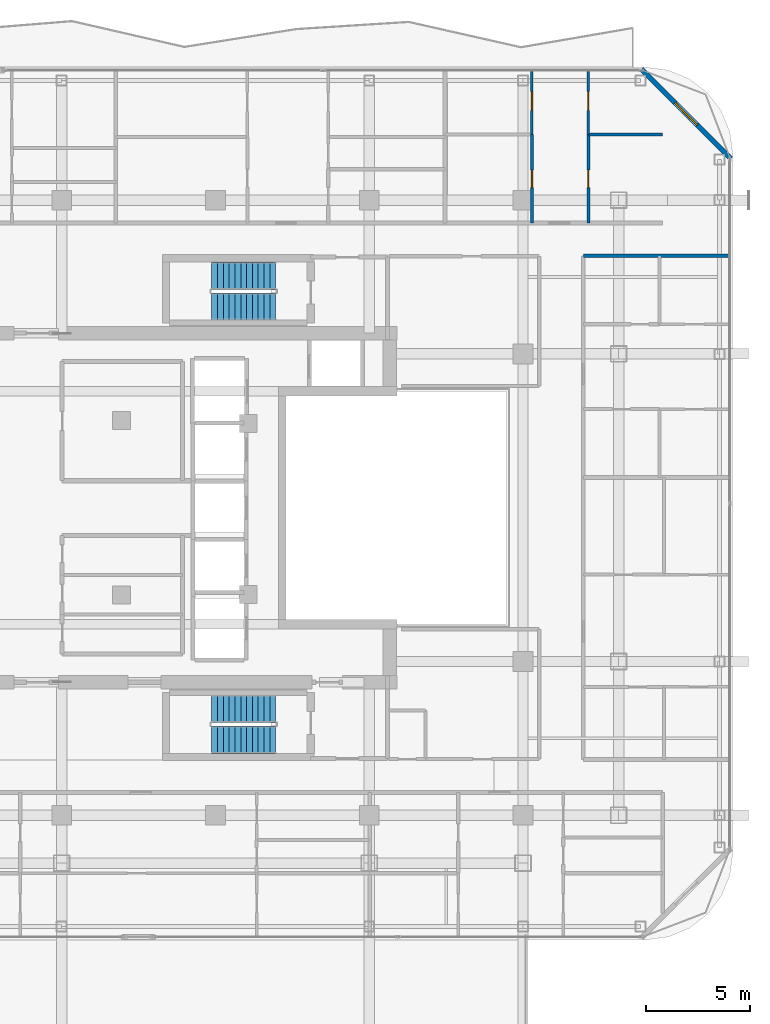
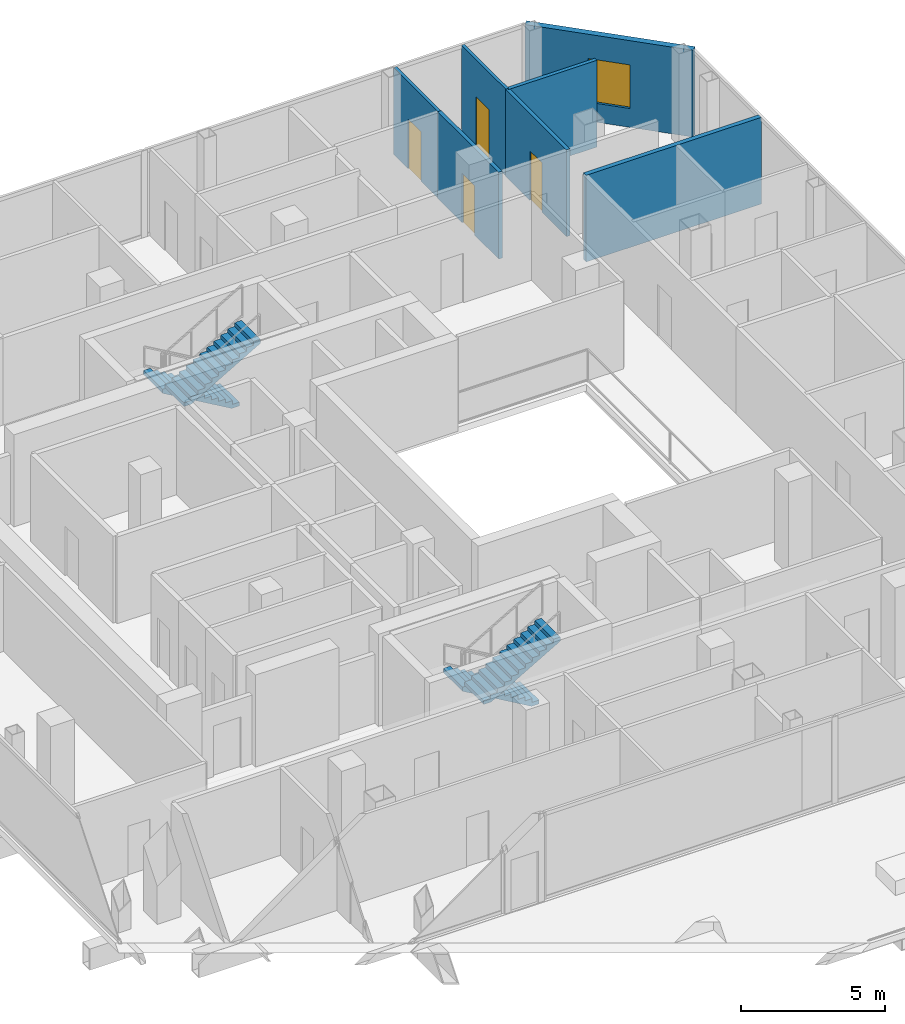
# One storey, part 22 of 25: 7 walls, 4 doors, 4 stair flights, 1 window, 5 openings, 2 elements without a shape of their own.
"""IFC4 building model written with IfcOpenShell, lengths in metres."""

from ifc_helpers import new_model, si_unit, direction, frame, frame_2d, origin, place, context, subcontext, project, spatial, polyline, rectangle, outline, extrude, material, layer, layer_set, type_object, element, fill, aggregate, save


model = new_model("IFC4")

# Units and contexts
model_context = context("Model", 3, precision=1e-05, world=origin(), true_north=direction((0.0, 1.0)))
body_context = subcontext(model_context, "Body", "Model", "MODEL_VIEW")
ifc_project = project(units=[si_unit("LENGTHUNIT", "METRE"), si_unit("AREAUNIT", "SQUARE_METRE"), si_unit("VOLUMEUNIT", "CUBIC_METRE"), si_unit("PLANEANGLEUNIT", "RADIAN"), si_unit("MASSUNIT", "GRAM", prefix="KILO")], contexts=[model_context])

# Site, building, storey
site_placement = place(None, origin())
site = spatial("IfcSite", under=ifc_project, at=site_placement, CompositionType="ELEMENT")
building_placement = place(site_placement, origin())
building = spatial("IfcBuilding", under=site, at=building_placement, Name="Khorvyn Point Tower", CompositionType="ELEMENT")
storey_placement = place(building_placement, frame((0.0, 0.0, 254.699951171875)))
storey = spatial("IfcBuildingStorey", under=building, at=storey_placement, Name="L62", CompositionType="ELEMENT", Elevation=254.699951171875)

# Wall
ifc_material_1 = material(Name="Double acoustic gypsum on twin steel stud", Category="steel")
ifc_layer_1 = layer(ifc_material_1, 0.179931640625)
ifc_layer_set_1 = layer_set([ifc_layer_1], Name="Acoustic Double-Stud Apartment Demising Wall 180")
wall_type_1 = type_object("IfcWallType", Name="Acoustic Double-Stud Apartment Demising Wall 180", PredefinedType="PARTITIONING", material=ifc_layer_set_1)
wall_1_placement = place(storey_placement, frame((17.699951171875, 12.1201171875, 0.0), z_axis=(0.0, 0.0, 1.0), x_axis=(1.0, 0.0, 0.0)))
element("IfcWall", 1, at=wall_1_placement, inside=storey, type_object=wall_type_1, Name="Wall", PredefinedType="PARTITIONING", context=body_context, shape_type="SweptSolid", body=[
    extrude(rectangle(XDim=7.030029296875, YDim=0.179931640625, at=frame_2d((3.51513671875, 0.0))), origin(), (0.0, 0.0, 1.0), 3.679931640625),
])

# Wall, opening, window
ifc_material_2 = material(Name="Pale anodised aluminium rainscreen on steel stud", Category="steel")
ifc_layer_2 = layer(ifc_material_2, 0.239990234375)
ifc_layer_set_2 = layer_set([ifc_layer_2], Name="Anodised Aluminium Insulated Corner Spandrel Wall 240")
wall_type_2 = type_object("IfcWallType", Name="Anodised Aluminium Insulated Corner Spandrel Wall 240", PredefinedType="SOLIDWALL", material=ifc_layer_set_2)
wall_2_placement = place(storey_placement, frame((20.507568359375, 21.09228515625, 0.0), z_axis=(0.0, 0.0, 1.0), x_axis=(0.707126925818, -0.707086635981, 0.0)))
wall_2 = element("IfcWall", 2, at=wall_2_placement, inside=storey, type_object=wall_type_2, Name="L62 Rounded Corner Wall NE", PredefinedType="SOLIDWALL", context=body_context, shape_type="SweptSolid", body=[
    extrude(rectangle(XDim=6.0595703125, YDim=0.239990234375, at=frame_2d((3.02978515625, 0.0))), origin(), (0.0, 0.0, 1.0), 3.679931640625),
])
opening_1_placement = place(wall_2_placement, frame((2.27978515625, 0.0, 0.800048828125)))
opening_1 = element("IfcOpeningElement", 3, at=opening_1_placement, cuts=wall_2, Name="Opening WN-1518", PredefinedType="OPENING", context=body_context, shape_type="SweptSolid", body=[
    extrude(rectangle(XDim=1.5, YDim=1.85009765625, at=frame_2d((0.75, 0.925048828125))), frame((0.0, 0.1298828125, 0.0), z_axis=(0.0, -1.0, 0.0), x_axis=(1.0, 0.0, 0.0)), (0.0, 0.0, 1.0), 0.260009765625),
])
ifc_material_3 = material(Name="Anodised aluminium 6063-T6 and laminated Low-E glass", Category="aluminium")
window_type = type_object("IfcWindowType", Name="Anodised Aluminium Rounded-Corner Panoramic Window 1500x1850", PartitioningType="SINGLE_PANEL", PredefinedType="WINDOW", material=ifc_material_3)
window_placement = place(opening_1_placement, origin())
window = element("IfcWindow", 4, at=window_placement, inside=storey, type_object=window_type, Name="L62 Corner Panoramic Window NE", OverallHeight=1.85009765625, OverallWidth=1.5, PartitioningType="SINGLE_PANEL", PredefinedType="WINDOW", context=body_context, shape_type="SweptSolid", body=[
    extrude(rectangle(XDim=1.5, YDim=1.85009765625, at=frame_2d((0.75, 0.925048828125))), frame((0.0, 0.030029296875, 0.0), z_axis=(0.0, -1.0, 0.0), x_axis=(1.0, 0.0, 0.0)), (0.0, 0.0, 1.0), 0.06005859375),
])
fill(opening_1, window)

# Wall, opening, door
ifc_material_4 = material(Name="Gypsum plasterboard on steel stud", Category="steel")
ifc_layer_3 = layer(ifc_material_4, 0.1201171875)
ifc_layer_set_3 = layer_set([ifc_layer_3], Name="Gypsum Acoustic Stud Room Partition Wall 120")
wall_type_3 = type_object("IfcWallType", Name="Gypsum Acoustic Stud Room Partition Wall 120", PredefinedType="PARTITIONING", material=ifc_layer_set_3)
wall_3_placement = place(storey_placement, frame((15.23291015625, 17.949951171875, 0.0), z_axis=(0.0, 0.0, 1.0), x_axis=(0.0, 1.0, 0.0)))
wall_3 = element("IfcWall", 5, at=wall_3_placement, inside=storey, type_object=wall_type_3, Name="Wall", PredefinedType="PARTITIONING", context=body_context, shape_type="SweptSolid", body=[
    extrude(rectangle(XDim=3.080078125, YDim=0.1201171875, at=frame_2d((1.5400390625, 0.0))), origin(), (0.0, 0.0, 1.0), 3.679931640625),
])
opening_2_placement = place(wall_3_placement, frame((1.174560546875, 0.0, 0.0)))
opening_2 = element("IfcOpeningElement", 6, at=opening_2_placement, cuts=wall_3, Name="Opening ID-RM90", PredefinedType="OPENING", context=body_context, shape_type="SweptSolid", body=[
    extrude(rectangle(XDim=0.89990234375, YDim=2.10009765625, at=frame_2d((0.449951171875, 1.050048828125))), frame((0.0, 0.070068359375, 0.0), z_axis=(0.0, -1.0, 0.0), x_axis=(1.0, 0.0, 0.0)), (0.0, 0.0, 1.0), 0.14013671875),
])
ifc_material_5 = material(Name="Engineered oak veneer timber", Category="wood")
door_type_1 = type_object("IfcDoorType", Name="Flush Engineered Timber Room Door 900x2100", OperationType="NOTDEFINED", PredefinedType="DOOR", material=ifc_material_5)
door_1_placement = place(opening_2_placement, origin())
door_1 = element("IfcDoor", 7, at=door_1_placement, inside=storey, type_object=door_type_1, Name="Door", OperationType="SINGLE_SWING_LEFT", OverallHeight=2.10009765625, OverallWidth=0.89990234375, PredefinedType="DOOR", context=body_context, shape_type="SweptSolid", body=[
    extrude(rectangle(XDim=0.89990234375, YDim=2.10009765625, at=frame_2d((0.449951171875, 1.050048828125))), frame((0.0, 0.02490234375, 0.0), z_axis=(0.0, -1.0, 0.0), x_axis=(1.0, 0.0, 0.0)), (0.0, 0.0, 1.0), 0.050048828125),
])
fill(opening_2, door_1)

wall_4_placement = place(storey_placement, frame((17.949951171875, 17.949951171875, 0.0), z_axis=(0.0, 0.0, 1.0), x_axis=(0.0, 1.0, 0.0)))
wall_4 = element("IfcWall", 8, at=wall_4_placement, inside=storey, type_object=wall_type_3, Name="Wall", PredefinedType="PARTITIONING", context=body_context, shape_type="SweptSolid", body=[
    extrude(rectangle(XDim=3.080078125, YDim=0.1201171875, at=frame_2d((1.5400390625, 0.0))), origin(), (0.0, 0.0, 1.0), 3.679931640625),
])
opening_3_placement = place(wall_4_placement, frame((1.174560546875, 0.0, 0.0)))
opening_3 = element("IfcOpeningElement", 9, at=opening_3_placement, cuts=wall_4, Name="Opening ID-RM90", PredefinedType="OPENING", context=body_context, shape_type="SweptSolid", body=[
    extrude(rectangle(XDim=0.89990234375, YDim=2.10009765625, at=frame_2d((0.449951171875, 1.050048828125))), frame((0.0, 0.070068359375, 0.0), z_axis=(0.0, -1.0, 0.0), x_axis=(1.0, 0.0, 0.0)), (0.0, 0.0, 1.0), 0.14013671875),
])
door_2_placement = place(opening_3_placement, origin())
door_2 = element("IfcDoor", 10, at=door_2_placement, inside=storey, type_object=door_type_1, Name="Door", OperationType="SINGLE_SWING_LEFT", OverallHeight=2.10009765625, OverallWidth=0.89990234375, PredefinedType="DOOR", context=body_context, shape_type="SweptSolid", body=[
    extrude(rectangle(XDim=0.89990234375, YDim=2.10009765625, at=frame_2d((0.449951171875, 1.050048828125))), frame((0.0, 0.02490234375, 0.0), z_axis=(0.0, -1.0, 0.0), x_axis=(1.0, 0.0, 0.0)), (0.0, 0.0, 1.0), 0.050048828125),
])
fill(opening_3, door_2)

ifc_material_6 = material(Name="Moisture-resistant gypsum and cement board", Category="gypsum")
ifc_layer_4 = layer(ifc_material_6, 0.14990234375)
ifc_layer_set_4 = layer_set([ifc_layer_4], Name="Moisture-Resistant Wet-Room Partition Wall 150")
wall_type_4 = type_object("IfcWallType", Name="Moisture-Resistant Wet-Room Partition Wall 150", PredefinedType="PARTITIONING", material=ifc_layer_set_4)
wall_5_placement = place(storey_placement, frame((15.23291015625, 13.699951171875, 0.0), z_axis=(0.0, 0.0, 1.0), x_axis=(0.0, 1.0, 0.0)))
wall_5 = element("IfcWall", 11, at=wall_5_placement, inside=storey, type_object=wall_type_4, Name="Wall", PredefinedType="PARTITIONING", context=body_context, shape_type="SweptSolid", body=[
    extrude(rectangle(XDim=4.25, YDim=0.14990234375, at=frame_2d((2.125, 0.0))), origin(), (0.0, 0.0, 1.0), 3.679931640625),
])
opening_4_placement = place(wall_5_placement, frame((1.699951171875, 0.0, 0.0)))
opening_4 = element("IfcOpeningElement", 12, at=opening_4_placement, cuts=wall_5, Name="Opening ID-WC85", PredefinedType="OPENING", context=body_context, shape_type="SweptSolid", body=[
    extrude(rectangle(XDim=0.85009765625, YDim=2.10009765625, at=frame_2d((0.425048828125, 1.050048828125))), frame((0.0, 0.0849609375, 0.0), z_axis=(0.0, -1.0, 0.0), x_axis=(1.0, 0.0, 0.0)), (0.0, 0.0, 1.0), 0.169921875),
])
ifc_material_7 = material(Name="High-pressure laminate on moisture-resistant core", Category="wood")
door_type_2 = type_object("IfcDoorType", Name="Moisture-Resistant Accessible Washroom Door 850x2100", OperationType="NOTDEFINED", PredefinedType="DOOR", material=ifc_material_7)
door_3_placement = place(opening_4_placement, origin())
door_3 = element("IfcDoor", 13, at=door_3_placement, inside=storey, type_object=door_type_2, Name="Door", OperationType="SINGLE_SWING_RIGHT", OverallHeight=2.10009765625, OverallWidth=0.85009765625, PredefinedType="DOOR", context=body_context, shape_type="SweptSolid", body=[
    extrude(rectangle(XDim=0.85009765625, YDim=2.10009765625, at=frame_2d((0.425048828125, 1.050048828125))), frame((0.0, 0.02490234375, 0.0), z_axis=(0.0, -1.0, 0.0), x_axis=(1.0, 0.0, 0.0)), (0.0, 0.0, 1.0), 0.050048828125),
])
fill(opening_4, door_3)

wall_6_placement = place(storey_placement, frame((17.949951171875, 13.699951171875, 0.0), z_axis=(0.0, 0.0, 1.0), x_axis=(0.0, 1.0, 0.0)))
wall_6 = element("IfcWall", 14, at=wall_6_placement, inside=storey, type_object=wall_type_4, Name="Wall", PredefinedType="PARTITIONING", context=body_context, shape_type="SweptSolid", body=[
    extrude(rectangle(XDim=4.25, YDim=0.14990234375, at=frame_2d((2.125, 0.0))), origin(), (0.0, 0.0, 1.0), 3.679931640625),
])
opening_5_placement = place(wall_6_placement, frame((1.699951171875, 0.0, 0.0)))
opening_5 = element("IfcOpeningElement", 15, at=opening_5_placement, cuts=wall_6, Name="Opening ID-WC85", PredefinedType="OPENING", context=body_context, shape_type="SweptSolid", body=[
    extrude(rectangle(XDim=0.85009765625, YDim=2.10009765625, at=frame_2d((0.425048828125, 1.050048828125))), frame((0.0, 0.0849609375, 0.0), z_axis=(0.0, -1.0, 0.0), x_axis=(1.0, 0.0, 0.0)), (0.0, 0.0, 1.0), 0.169921875),
])
door_4_placement = place(opening_5_placement, origin())
door_4 = element("IfcDoor", 16, at=door_4_placement, inside=storey, type_object=door_type_2, Name="Door", OperationType="SINGLE_SWING_RIGHT", OverallHeight=2.10009765625, OverallWidth=0.85009765625, PredefinedType="DOOR", context=body_context, shape_type="SweptSolid", body=[
    extrude(rectangle(XDim=0.85009765625, YDim=2.10009765625, at=frame_2d((0.425048828125, 1.050048828125))), frame((0.0, 0.02490234375, 0.0), z_axis=(0.0, -1.0, 0.0), x_axis=(1.0, 0.0, 0.0)), (0.0, 0.0, 1.0), 0.050048828125),
])
fill(opening_5, door_4)

# Wall
wall_7_placement = place(storey_placement, frame((17.949951171875, 17.949951171875, 0.0), z_axis=(0.0, 0.0, 1.0), x_axis=(1.0, 0.0, 0.0)))
element("IfcWall", 17, at=wall_7_placement, inside=storey, type_object=wall_type_4, Name="Wall", PredefinedType="PARTITIONING", context=body_context, shape_type="SweptSolid", body=[
    extrude(rectangle(XDim=3.570068359375, YDim=0.14990234375, at=frame_2d((1.78515625, 0.0))), origin(), (0.0, 0.0, 1.0), 3.679931640625),
])

# Stair, stair flights
ifc_material_8 = material(Name="Concrete C40/50", Category="concrete")
stair_type = type_object("IfcStairType", Name="Tower Concrete C40/50 Dogleg Exit Stair", PredefinedType="HALF_TURN_STAIR", material=ifc_material_8)
stair_1_placement = place(storey_placement, origin())
stair_1 = element("IfcStair", 18, at=stair_1_placement, inside=storey, type_object=stair_type, Name="L62 Tower Smokeproof Exit Stair South", PredefinedType="HALF_TURN_STAIR")
stair_flight_type = type_object("IfcStairFlightType", Name="Tower Concrete C40/50 Stair Flight", PredefinedType="STRAIGHT", material=ifc_material_8)
stair_flight_1_placement = place(storey_placement, frame((2.89990234375, -9.679931640625, 0.0), z_axis=(0.0, 0.0, 1.0), x_axis=(-1.0, 0.0, 0.0)))
stair_flight_1 = element("IfcStairFlight", 19, at=stair_flight_1_placement, type_object=stair_flight_type, Name="ST-01 flight 1", NumberOfRisers=12, NumberOfTreads=11, PredefinedType="STRAIGHT", RiserHeight=0.1625, TreadLength=0.28, context=body_context, shape_type="SweptSolid", body=[
    extrude(outline(polyline([(0.0, 0.0), (0.0, 0.16259765625), (0.280029296875, 0.16259765625), (0.280029296875, 0.324951171875), (0.56005859375, 0.324951171875), (0.56005859375, 0.487548828125), (0.840087890625, 0.487548828125), (0.840087890625, 0.64990234375), (1.1201171875, 0.64990234375), (1.1201171875, 0.8125), (1.39990234375, 0.8125), (1.39990234375, 0.97509765625), (1.679931640625, 0.97509765625), (1.679931640625, 1.137451171875), (1.9599609375, 1.137451171875), (1.9599609375, 1.300048828125), (2.239990234375, 1.300048828125), (2.239990234375, 1.46240234375), (2.52001953125, 1.46240234375), (2.52001953125, 1.625), (2.800048828125, 1.625), (2.800048828125, 1.78759765625), (3.080078125, 1.78759765625), (3.080078125, 1.949951171875), (3.080078125, 1.6142578125), (0.298583984375, 0.0), (0.0, 0.0)])), frame((0.0, 0.66015625, 0.0), z_axis=(0.0, -1.0, 0.0), x_axis=(1.0, 0.0, 0.0)), (0.0, 0.0, 1.0), 1.320068359375),
])
stair_flight_2_placement = place(storey_placement, frame((-0.179931640625, -11.159912109375, 1.949951171875), z_axis=(0.0, 0.0, 1.0), x_axis=(1.0, 0.0, 0.0)))
stair_flight_2 = element("IfcStairFlight", 20, at=stair_flight_2_placement, type_object=stair_flight_type, Name="ST-01 flight 2", NumberOfRisers=12, NumberOfTreads=11, PredefinedType="STRAIGHT", RiserHeight=0.1625, TreadLength=0.28, context=body_context, shape_type="SweptSolid", body=[
    extrude(outline(polyline([(0.0, 0.0), (0.0, 0.16259765625), (0.280029296875, 0.16259765625), (0.280029296875, 0.324951171875), (0.56005859375, 0.324951171875), (0.56005859375, 0.487548828125), (0.840087890625, 0.487548828125), (0.840087890625, 0.64990234375), (1.1201171875, 0.64990234375), (1.1201171875, 0.8125), (1.39990234375, 0.8125), (1.39990234375, 0.97509765625), (1.679931640625, 0.97509765625), (1.679931640625, 1.137451171875), (1.9599609375, 1.137451171875), (1.9599609375, 1.300048828125), (2.239990234375, 1.300048828125), (2.239990234375, 1.46240234375), (2.52001953125, 1.46240234375), (2.52001953125, 1.625), (2.800048828125, 1.625), (2.800048828125, 1.78759765625), (3.080078125, 1.78759765625), (3.080078125, 1.949951171875), (3.080078125, 1.6142578125), (0.298583984375, 0.0), (0.0, 0.0)])), frame((0.0, 0.66015625, 0.0), z_axis=(0.0, -1.0, 0.0), x_axis=(1.0, 0.0, 0.0)), (0.0, 0.0, 1.0), 1.320068359375),
])
aggregate(stair_1, [stair_flight_1, stair_flight_2])

stair_2_placement = place(storey_placement, origin())
stair_2 = element("IfcStair", 21, at=stair_2_placement, inside=storey, type_object=stair_type, Name="L62 Tower Smokeproof Exit Stair North", PredefinedType="HALF_TURN_STAIR")
stair_flight_3_placement = place(storey_placement, frame((2.89990234375, 11.159912109375, 0.0), z_axis=(0.0, 0.0, 1.0), x_axis=(-1.0, 0.0, 0.0)))
stair_flight_3 = element("IfcStairFlight", 22, at=stair_flight_3_placement, type_object=stair_flight_type, Name="ST-02 flight 1", NumberOfRisers=12, NumberOfTreads=11, PredefinedType="STRAIGHT", RiserHeight=0.1625, TreadLength=0.28, context=body_context, shape_type="SweptSolid", body=[
    extrude(outline(polyline([(0.0, 0.0), (0.0, 0.16259765625), (0.280029296875, 0.16259765625), (0.280029296875, 0.324951171875), (0.56005859375, 0.324951171875), (0.56005859375, 0.487548828125), (0.840087890625, 0.487548828125), (0.840087890625, 0.64990234375), (1.1201171875, 0.64990234375), (1.1201171875, 0.8125), (1.39990234375, 0.8125), (1.39990234375, 0.97509765625), (1.679931640625, 0.97509765625), (1.679931640625, 1.137451171875), (1.9599609375, 1.137451171875), (1.9599609375, 1.300048828125), (2.239990234375, 1.300048828125), (2.239990234375, 1.46240234375), (2.52001953125, 1.46240234375), (2.52001953125, 1.625), (2.800048828125, 1.625), (2.800048828125, 1.78759765625), (3.080078125, 1.78759765625), (3.080078125, 1.949951171875), (3.080078125, 1.6142578125), (0.298583984375, 0.0), (0.0, 0.0)])), frame((0.0, 0.66015625, 0.0), z_axis=(0.0, -1.0, 0.0), x_axis=(1.0, 0.0, 0.0)), (0.0, 0.0, 1.0), 1.320068359375),
])
stair_flight_4_placement = place(storey_placement, frame((-0.179931640625, 9.679931640625, 1.949951171875), z_axis=(0.0, 0.0, 1.0), x_axis=(1.0, 0.0, 0.0)))
stair_flight_4 = element("IfcStairFlight", 23, at=stair_flight_4_placement, type_object=stair_flight_type, Name="ST-02 flight 2", NumberOfRisers=12, NumberOfTreads=11, PredefinedType="STRAIGHT", RiserHeight=0.1625, TreadLength=0.28, context=body_context, shape_type="SweptSolid", body=[
    extrude(outline(polyline([(0.0, 0.0), (0.0, 0.16259765625), (0.280029296875, 0.16259765625), (0.280029296875, 0.324951171875), (0.56005859375, 0.324951171875), (0.56005859375, 0.487548828125), (0.840087890625, 0.487548828125), (0.840087890625, 0.64990234375), (1.1201171875, 0.64990234375), (1.1201171875, 0.8125), (1.39990234375, 0.8125), (1.39990234375, 0.97509765625), (1.679931640625, 0.97509765625), (1.679931640625, 1.137451171875), (1.9599609375, 1.137451171875), (1.9599609375, 1.300048828125), (2.239990234375, 1.300048828125), (2.239990234375, 1.46240234375), (2.52001953125, 1.46240234375), (2.52001953125, 1.625), (2.800048828125, 1.625), (2.800048828125, 1.78759765625), (3.080078125, 1.78759765625), (3.080078125, 1.949951171875), (3.080078125, 1.6142578125), (0.298583984375, 0.0), (0.0, 0.0)])), frame((0.0, 0.66015625, 0.0), z_axis=(0.0, -1.0, 0.0), x_axis=(1.0, 0.0, 0.0)), (0.0, 0.0, 1.0), 1.320068359375),
])
aggregate(stair_2, [stair_flight_3, stair_flight_4])

save(model, "model.ifc")
